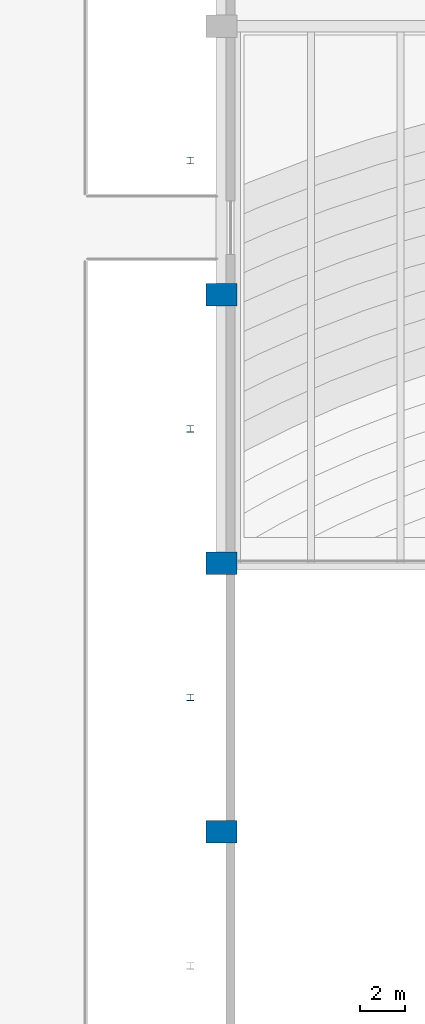
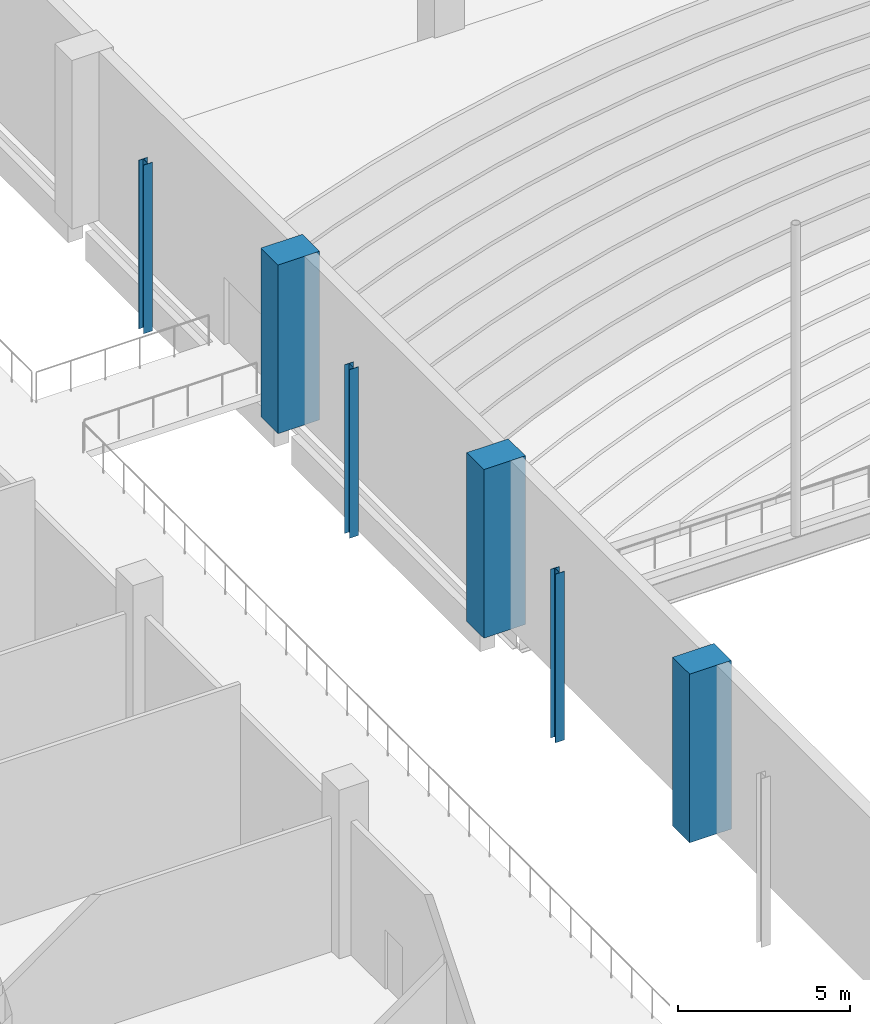
# One storey, part 6 of 72: 6 columns.
"""IFC4 building model written with IfcOpenShell, lengths in metres."""

from ifc_helpers import new_model, si_unit, direction, frame, origin, origin_2d, place, context, subcontext, project, spatial, rectangle, i_section, extrude, material, material_profile, profile_set, type_object, element, save


model = new_model("IFC4")

# Units and contexts
model_context = context("Model", 3, precision=1e-05, world=origin(), true_north=direction((0.0, 1.0)))
body_context = subcontext(model_context, "Body", "Model", "MODEL_VIEW")
ifc_project = project(units=[si_unit("LENGTHUNIT", "METRE"), si_unit("AREAUNIT", "SQUARE_METRE"), si_unit("VOLUMEUNIT", "CUBIC_METRE"), si_unit("PLANEANGLEUNIT", "RADIAN"), si_unit("MASSUNIT", "GRAM", prefix="KILO")], contexts=[model_context])

# Site, building, storey
site_placement = place(None, origin())
site = spatial("IfcSite", under=ifc_project, at=site_placement, CompositionType="ELEMENT")
building_placement = place(site_placement, origin())
building = spatial("IfcBuilding", under=site, at=building_placement, Name="Lilac Gate Convention Centre", CompositionType="ELEMENT")
storey_placement = place(building_placement, frame((0.0, 0.0, 6.0)))
storey = spatial("IfcBuildingStorey", under=building, at=storey_placement, Name="L01", CompositionType="ELEMENT", Elevation=6.0)

# Columns
ifc_material_1 = material(Name="Concrete C40", Category="concrete")
ifc_material_profile_1 = material_profile(ifc_material_1, rectangle(XDim=1.39990234375, YDim=1.0, at=origin_2d()), Name="RC 1400x1000")
ifc_profile_set_1 = profile_set([ifc_material_profile_1], Name="Concrete C40")
column_type_1 = type_object("IfcColumnType", Name="RC hall column 1400x1000 C40", PredefinedType="COLUMN", material=ifc_profile_set_1)
for number, where, z_axis, x_axis, name in (
    (1, (30.0, 126.0, 0.0), (0.0, 0.0, 1.0), (1.0, 0.0, 0.0), "C2 L01 at 3/J"),
    (2, (30.0, 138.0, 0.0), (0.0, 0.0, 1.0), (1.0, 0.0, 0.0), "C2 L01 at 3/K"),
    (3, (30.0, 150.0, 0.0), (0.0, 0.0, 1.0), (1.0, 0.0, 0.0), "C2 L01 at 3/L"),
):
    element("IfcColumn", number, at=place(storey_placement, frame(where, z_axis=z_axis, x_axis=x_axis)), inside=storey, type_object=column_type_1, Name=name, PredefinedType="COLUMN", context=body_context, shape_type="SweptSolid", body=[
        extrude(rectangle(XDim=1.39990234375, YDim=1.0, at=origin_2d()), origin(), (0.0, 0.0, 1.0), 6.0),
    ])
ifc_material_2 = material(Name="Steel Q355B", Category="steel")
ifc_material_profile_2 = material_profile(ifc_material_2, i_section(OverallWidth=0.300048828125, OverallDepth=0.300048828125, WebThickness=0.010009765625, FlangeThickness=0.014892578125, FilletRadius=0.012939453125, at=origin_2d()), Name="HW300x300x10x15")
ifc_profile_set_2 = profile_set([ifc_material_profile_2], Name="Steel Q355B")
column_type_2 = type_object("IfcColumnType", Name="Steel column HW300x300x10x15", PredefinedType="COLUMN", material=ifc_profile_set_2)
for number, where, z_axis, x_axis, name in (
    (4, (28.60009765625, 132.0, 0.0), (0.0, 0.0, 1.0), (1.0, 0.0, 0.0), "SC1 L01 atrium column at 132"),
    (5, (28.60009765625, 144.0, 0.0), (0.0, 0.0, 1.0), (1.0, 0.0, 0.0), "SC1 L01 atrium column at 144"),
    (6, (28.60009765625, 156.0, 0.0), (0.0, 0.0, 1.0), (1.0, 0.0, 0.0), "SC1 L01 atrium column at 156"),
):
    element("IfcColumn", number, at=place(storey_placement, frame(where, z_axis=z_axis, x_axis=x_axis)), inside=storey, type_object=column_type_2, Name=name, PredefinedType="COLUMN", context=body_context, shape_type="SweptSolid", body=[
        extrude(i_section(OverallWidth=0.300048828125, OverallDepth=0.300048828125, WebThickness=0.010009765625, FlangeThickness=0.014892578125, FilletRadius=0.012939453125, at=origin_2d()), origin(), (0.0, 0.0, 1.0), 6.0),
    ])

save(model, "model.ifc")
